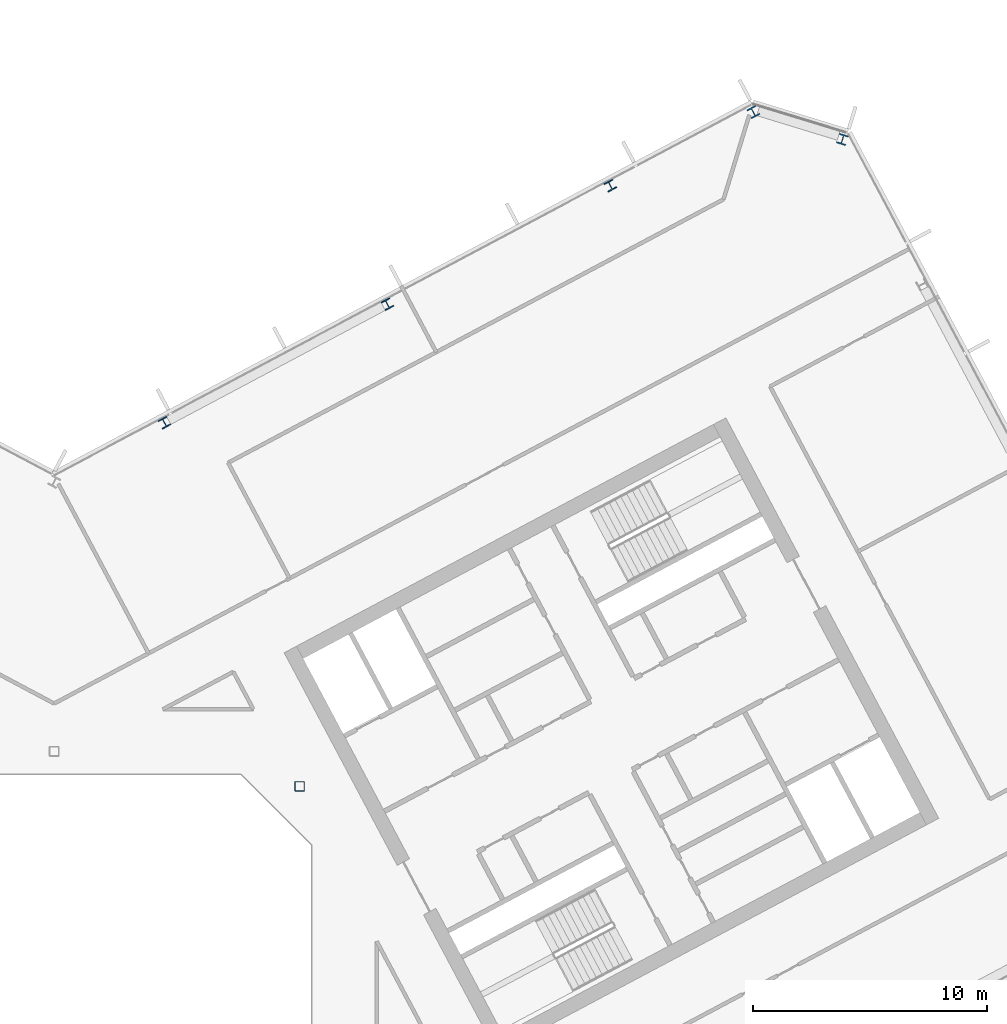
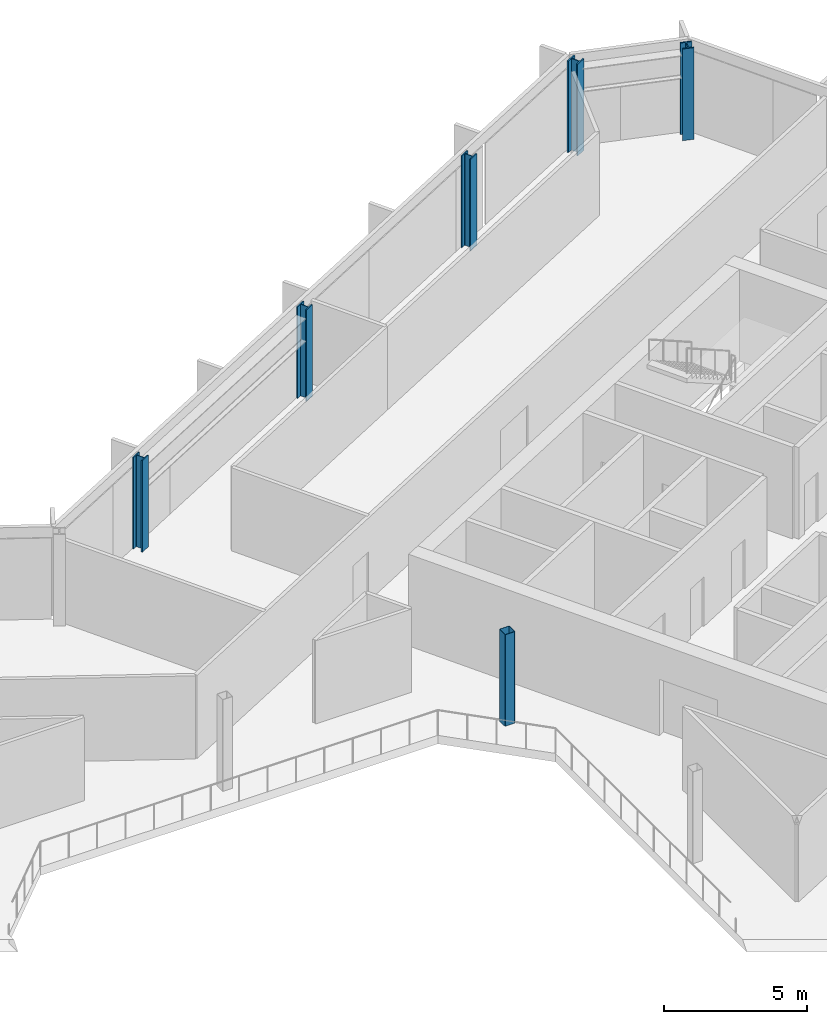
# One storey, part 6 of 26: 6 columns.
"""IFC4 building model written with IfcOpenShell, lengths in metres."""

from ifc_helpers import new_model, si_unit, direction, frame, origin, origin_2d, place, context, subcontext, project, spatial, hollow_rectangle, i_section, extrude, material, material_profile, profile_set, type_object, element, save


model = new_model("IFC4")

# Units and contexts
model_context = context("Model", 3, precision=1e-05, world=origin(), true_north=direction((0.0, 1.0)))
body_context = subcontext(model_context, "Body", "Model", "MODEL_VIEW")
ifc_project = project(units=[si_unit("LENGTHUNIT", "METRE"), si_unit("AREAUNIT", "SQUARE_METRE"), si_unit("VOLUMEUNIT", "CUBIC_METRE"), si_unit("PLANEANGLEUNIT", "RADIAN"), si_unit("MASSUNIT", "GRAM", prefix="KILO")], contexts=[model_context])

# Site, building, storey
site_placement = place(None, origin())
site = spatial("IfcSite", under=ifc_project, at=site_placement, CompositionType="ELEMENT")
building_placement = place(site_placement, origin())
building = spatial("IfcBuilding", under=site, at=building_placement, Name="Cormorant Relay Tower", CompositionType="ELEMENT")
storey_placement = place(building_placement, frame((0.0, 0.0, 193.5)))
storey = spatial("IfcBuildingStorey", under=building, at=storey_placement, Name="L41", CompositionType="ELEMENT", Elevation=193.5)

# Columns
ifc_material_1 = material(Name="Steel ASTM A500 Grade C (Fy 345 MPa)", Category="steel")
ifc_material_profile_1 = material_profile(ifc_material_1, hollow_rectangle(XDim=0.406494140625, YDim=0.406494140625, WallThickness=0.0146484375, InnerFilletRadius=0.00732421875, OuterFilletRadius=0.022216796875, at=origin_2d()), Name="HSS406x406x15")
ifc_profile_set_1 = profile_set([ifc_material_profile_1], Name="Steel ASTM A500 Grade C (Fy 345 MPa)")
column_type_1 = type_object("IfcColumnType", Name="Column HSS406x406x15", PredefinedType="COLUMN", material=ifc_profile_set_1)
column_placement = place(storey_placement, frame((10.5, 10.5, 0.0), z_axis=(0.0, 0.0, 1.0), x_axis=(1.0, 0.0, 0.0)))
element("IfcColumn", 1, at=column_placement, inside=storey, type_object=column_type_1, Name="Column L41-024", PredefinedType="COLUMN", context=body_context, shape_type="SweptSolid", body=[
    extrude(hollow_rectangle(XDim=0.406494140625, YDim=0.406494140625, WallThickness=0.0146484375, InnerFilletRadius=0.00732421875, OuterFilletRadius=0.022216796875, at=origin_2d()), origin(), (0.0, 0.0, 1.0), 3.89990234375),
])
ifc_material_2 = material(Name="Steel ASTM A992 (Fy 345 MPa)", Category="steel")
ifc_material_profile_2 = material_profile(ifc_material_2, i_section(OverallWidth=0.40380859375, OverallDepth=0.406494140625, WebThickness=0.027099609375, FlangeThickness=0.043701171875, FilletRadius=0.01513671875, at=origin_2d()), Name="W360x347")
ifc_profile_set_2 = profile_set([ifc_material_profile_2], Name="Steel ASTM A992 (Fy 345 MPa)")
column_type_2 = type_object("IfcColumnType", Name="Column W360x347", PredefinedType="COLUMN", material=ifc_profile_set_2)
for number, where, z_axis, x_axis, name in (
    (2, (4.719970703125, 26.055908203125, 0.0), (0.0, 0.0, 1.0), (-0.882947592859, -0.469471562786, 0.0), "Column L41-032"),
    (3, (14.256103515625, 31.1259765625, 0.0), (0.0, 0.0, 1.0), (-0.882947592859, -0.469471562786, 0.0), "Column L41-035"),
    (4, (23.7919921875, 36.196044921875, 0.0), (0.0, 0.0, 1.0), (-0.882947592859, -0.469471562786, 0.0), "Column L41-039"),
):
    element("IfcColumn", number, at=place(storey_placement, frame(where, z_axis=z_axis, x_axis=x_axis)), inside=storey, type_object=column_type_2, Name=name, PredefinedType="COLUMN", context=body_context, shape_type="SweptSolid", body=[
        extrude(i_section(OverallWidth=0.40380859375, OverallDepth=0.406494140625, WebThickness=0.027099609375, FlangeThickness=0.043701171875, FilletRadius=0.01513671875, at=origin_2d()), origin(), (0.0, 0.0, 1.0), 3.89990234375),
    ])
ifc_material_3 = material(Name="Steel ASTM A992 (Fy 345 MPa)", Category="steel")
ifc_material_profile_3 = material_profile(ifc_material_3, i_section(OverallWidth=0.41162109375, OverallDepth=0.434326171875, WebThickness=0.035888671875, FlangeThickness=0.057373046875, FilletRadius=0.01513671875, at=origin_2d()), Name="W360x463")
ifc_profile_set_3 = profile_set([ifc_material_profile_3], Name="Steel ASTM A992 (Fy 345 MPa)")
column_type_3 = type_object("IfcColumnType", Name="Column W360x463", PredefinedType="COLUMN", material=ifc_profile_set_3)
for number, where, z_axis, x_axis, name in (
    (5, (33.720947265625, 38.173095703125, 0.0), (0.0, 0.0, 1.0), (-0.956304755963, 0.292371704723, 0.0), "Column L41-041"),
    (6, (29.905029296875, 39.340087890625, 0.0), (0.0, 0.0, 1.0), (-0.882947592859, -0.469471562786, 0.0), "Column L41-043"),
):
    element("IfcColumn", number, at=place(storey_placement, frame(where, z_axis=z_axis, x_axis=x_axis)), inside=storey, type_object=column_type_3, Name=name, PredefinedType="COLUMN", context=body_context, shape_type="SweptSolid", body=[
        extrude(i_section(OverallWidth=0.41162109375, OverallDepth=0.434326171875, WebThickness=0.035888671875, FlangeThickness=0.057373046875, FilletRadius=0.01513671875, at=origin_2d()), origin(), (0.0, 0.0, 1.0), 3.89990234375),
    ])

save(model, "model.ifc")
